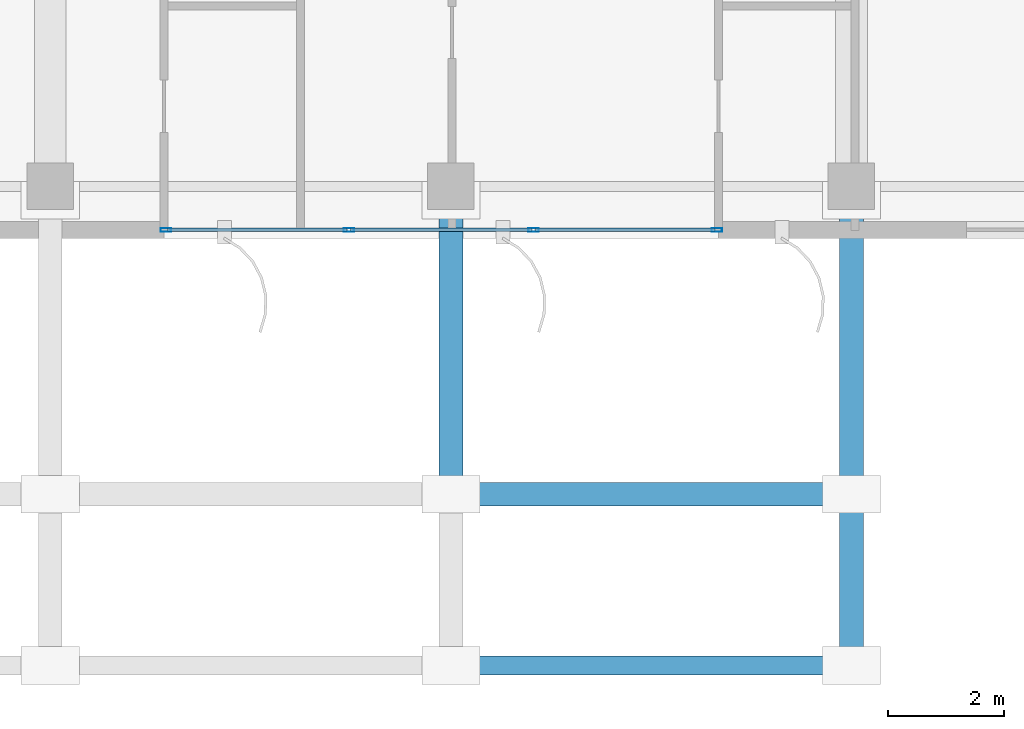
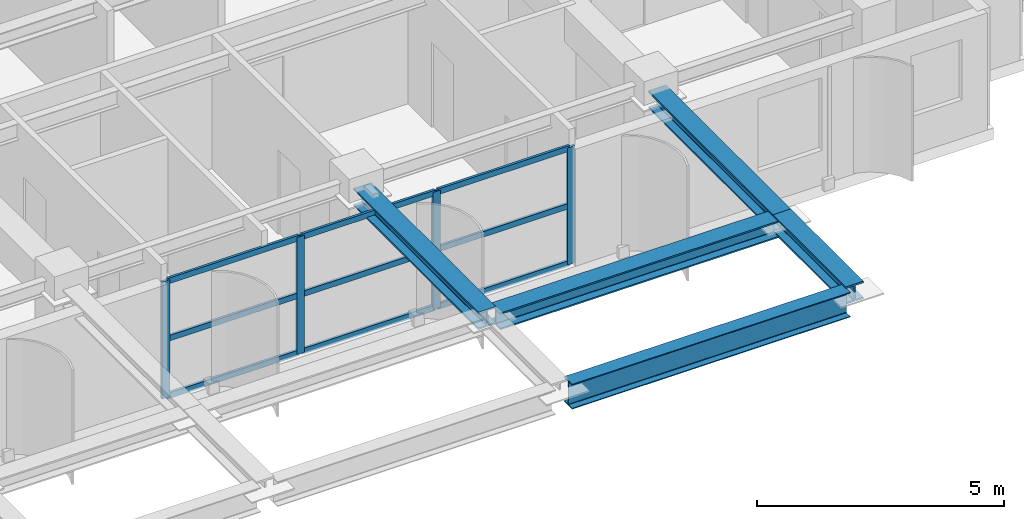
# One storey, part 2 of 19: 17 members, 1 beam, 1 element without a shape of its own.
"""IFC4 building model written with IfcOpenShell, lengths in metres."""

from ifc_helpers import new_model, si_unit, direction, frame, origin, origin_2d, place, context, subcontext, project, spatial, hollow_rectangle, i_section, extrude, source, transform, mapped, material, layer, layer_set, material_profile, profile_set, type_object, element, aggregate, save


model = new_model("IFC4")

# Units and contexts
model_context = context("Model", 3, precision=1e-05, world=origin(), true_north=direction((0.0, 1.0)))
body_context = subcontext(model_context, "Body", "Model", "MODEL_VIEW")
ifc_project = project(units=[si_unit("LENGTHUNIT", "METRE"), si_unit("AREAUNIT", "SQUARE_METRE"), si_unit("VOLUMEUNIT", "CUBIC_METRE"), si_unit("PLANEANGLEUNIT", "RADIAN"), si_unit("MASSUNIT", "GRAM", prefix="KILO")], contexts=[model_context])

# Site, building, storey
site_placement = place(None, origin())
site = spatial("IfcSite", under=ifc_project, at=site_placement, CompositionType="ELEMENT")
building_placement = place(site_placement, origin())
building = spatial("IfcBuilding", under=site, at=building_placement, Name="Khoralis Quay Care Tower", CompositionType="ELEMENT")
storey_placement = place(building_placement, frame((0.0, 0.0, 281.699951171875)))
storey = spatial("IfcBuildingStorey", under=building, at=storey_placement, Name="L74", CompositionType="ELEMENT", Elevation=281.699951171875)

# Members
ifc_material_1 = material(Name="Steel S460", Category="steel")
ifc_material_profile_1 = material_profile(ifc_material_1, i_section(OverallWidth=0.412109375, OverallDepth=0.43505859375, WebThickness=0.030029296875, FlangeThickness=0.0419921875, FilletRadius=0.014892578125, at=origin_2d()), Name="Steel S460")
ifc_profile_set_1 = profile_set([ifc_material_profile_1], Name="Steel S460")
member_type_1 = type_object("IfcMemberType", Name="CH-HD400X463", PredefinedType="CHORD", material=ifc_profile_set_1)
shared_shape_1 = source(origin(), body_context, "Body", "SweptSolid", [
    extrude(i_section(OverallWidth=0.412109375, OverallDepth=0.43505859375, WebThickness=0.030029296875, FlangeThickness=0.0419921875, FilletRadius=0.014892578125, at=origin_2d()), origin(), (0.0, 0.0, 1.0), 5.059814453125),
])
for number, where, z_axis, x_axis, name in (
    (1, (24.0, 3.659912109375, 3.0), (0.0, -1.0, 0.0), (1.0, 0.0, 0.0), "L74 Sky Pool Space Truss Top Chord 3A"),
    (2, (30.89990234375, 3.659912109375, 3.0), (0.0, -1.0, 0.0), (1.0, 0.0, 0.0), "L74 Sky Pool Space Truss Top Chord 4A"),
):
    element("IfcMember", number, at=place(storey_placement, frame(where, z_axis=z_axis, x_axis=x_axis)), inside=storey, type_object=member_type_1, Name=name, PredefinedType="CHORD", context=body_context, shape_type="MappedRepresentation", body=[
        mapped(shared_shape_1, transform((0.0, 0.0, 0.0), scale=1.0)),
    ])
shared_shape_2 = source(origin(), body_context, "Body", "SweptSolid", [
    extrude(i_section(OverallWidth=0.412109375, OverallDepth=0.43505859375, WebThickness=0.030029296875, FlangeThickness=0.0419921875, FilletRadius=0.014892578125, at=origin_2d()), origin(), (0.0, 0.0, 1.0), 2.9501953125),
])
member_1_placement = place(storey_placement, frame((30.89990234375, -1.39990234375, 3.0), z_axis=(0.0, -1.0, 0.0), x_axis=(1.0, 0.0, 0.0)))
element("IfcMember", 3, at=member_1_placement, inside=storey, type_object=member_type_1, Name="L74 Sky Pool Space Truss Top Chord 4B", PredefinedType="CHORD", context=body_context, shape_type="MappedRepresentation", body=[
    mapped(shared_shape_2, transform((0.0, 0.0, 0.0), scale=1.0)),
])
ifc_material_profile_2 = material_profile(ifc_material_1, i_section(OverallWidth=0.406005859375, OverallDepth=0.416015625, WebThickness=0.02490234375, FlangeThickness=0.034912109375, FilletRadius=0.014892578125, at=origin_2d()), Name="Steel S460")
ifc_profile_set_2 = profile_set([ifc_material_profile_2], Name="Steel S460")
member_type_2 = type_object("IfcMemberType", Name="CH-HD400X382", PredefinedType="CHORD", material=ifc_profile_set_2)
shared_shape_3 = source(origin(), body_context, "Body", "SweptSolid", [
    extrude(i_section(OverallWidth=0.406005859375, OverallDepth=0.416015625, WebThickness=0.02490234375, FlangeThickness=0.034912109375, FilletRadius=0.014892578125, at=origin_2d()), origin(), (0.0, 0.0, 1.0), 6.510009765625),
])
member_2_placement = place(storey_placement, frame((24.195068359375, -1.39990234375, 2.97216796875), z_axis=(1.0, 0.0, 0.0), x_axis=(0.0, 1.0, 0.0)))
element("IfcMember", 4, at=member_2_placement, inside=storey, type_object=member_type_2, Name="L74 Sky Pool Space Truss Bottom Chord 24", PredefinedType="CHORD", context=body_context, shape_type="MappedRepresentation", body=[
    mapped(shared_shape_3, transform((0.0, 0.0, 0.0), scale=1.0)),
])

# Beam
ifc_material_2 = material(Name="Steel S355", Category="steel")
ifc_material_profile_3 = material_profile(ifc_material_2, i_section(OverallWidth=0.324951171875, OverallDepth=0.615966796875, WebThickness=0.013916015625, FlangeThickness=0.021484375, FilletRadius=0.01806640625, at=origin_2d()), Name="Steel S355")
ifc_profile_set_3 = profile_set([ifc_material_profile_3], Name="Steel S355")
beam_type = type_object("IfcBeamType", Name="BM-W610X174", PredefinedType="BEAM", material=ifc_profile_set_3)
shared_shape_4 = source(origin(), body_context, "Body", "SweptSolid", [
    extrude(i_section(OverallWidth=0.324951171875, OverallDepth=0.615966796875, WebThickness=0.013916015625, FlangeThickness=0.021484375, FilletRadius=0.01806640625, at=origin_2d()), origin(), (0.0, 0.0, 1.0), 6.510009765625),
])
beam_placement = place(storey_placement, frame((24.195068359375, -4.35009765625, 2.8720703125), z_axis=(1.0, 0.0, 0.0), x_axis=(0.0, 1.0, 0.0)))
element("IfcBeam", 5, at=beam_placement, inside=storey, type_object=beam_type, Name="BM-SPTIE-2-24", PredefinedType="BEAM", context=body_context, shape_type="MappedRepresentation", body=[
    mapped(shared_shape_4, transform((0.0, 0.0, 0.0), scale=1.0)),
])

# Curtain wall, members
ifc_material_3 = material(Name="Pale anodised aluminium", Category="aluminium")
ifc_layer = layer(ifc_material_3, 0.159912109375)
ifc_layer_set = layer_set([ifc_layer], Name="Pale anodised aluminium")
curtain_wall_type = type_object("IfcCurtainWallType", Name="CW-SYS-Z3", PredefinedType="NOTDEFINED", material=ifc_layer_set)
curtain_wall_placement = place(storey_placement, origin())
curtain_wall = element("IfcCurtainWall", 6, at=curtain_wall_placement, inside=storey, type_object=curtain_wall_type, Name="L74 Unitised Curtain Wall CW-L74-P1-E0", PredefinedType="NOTDEFINED")
ifc_material_profile_4 = material_profile(ifc_material_3, hollow_rectangle(XDim=0.06494140625, YDim=0.179931640625, WallThickness=0.00390625, at=origin_2d()), Name="Pale anodised aluminium")
ifc_profile_set_4 = profile_set([ifc_material_profile_4], Name="Pale anodised aluminium")
member_type_3 = type_object("IfcMemberType", Name="CW-MUL-180", PredefinedType="MULLION", material=ifc_profile_set_4)
shared_shape_5 = source(origin(), body_context, "Body", "SweptSolid", [
    extrude(hollow_rectangle(XDim=0.06494140625, YDim=0.179931640625, WallThickness=0.00390625, at=origin_2d()), origin(), (0.0, 0.0, 1.0), 2.900146484375),
])
member_3_placement = place(storey_placement, frame((19.090087890625, 3.14990234375, 0.0), z_axis=(0.0, 0.0, 1.0), x_axis=(0.0, 1.0, 0.0)))
member_3 = element("IfcMember", 7, at=member_3_placement, type_object=member_type_3, Name="CW3 mullion 1", PredefinedType="MULLION", context=body_context, shape_type="MappedRepresentation", body=[
    mapped(shared_shape_5, transform((0.0, 0.0, 0.0), scale=1.0)),
])
member_4_placement = place(storey_placement, frame((22.243408203125, 3.14990234375, 0.0), z_axis=(0.0, 0.0, 1.0), x_axis=(0.0, 1.0, 0.0)))
member_4 = element("IfcMember", 8, at=member_4_placement, type_object=member_type_3, Name="CW3 mullion 2", PredefinedType="MULLION", context=body_context, shape_type="MappedRepresentation", body=[
    mapped(shared_shape_5, transform((0.0, 0.0, 0.0), scale=1.0)),
])
member_5_placement = place(storey_placement, frame((25.4267578125, 3.14990234375, 0.0), z_axis=(0.0, 0.0, 1.0), x_axis=(0.0, 1.0, 0.0)))
member_5 = element("IfcMember", 9, at=member_5_placement, type_object=member_type_3, Name="CW3 mullion 3", PredefinedType="MULLION", context=body_context, shape_type="MappedRepresentation", body=[
    mapped(shared_shape_5, transform((0.0, 0.0, 0.0), scale=1.0)),
])
member_6_placement = place(storey_placement, frame((28.580078125, 3.14990234375, 0.0), z_axis=(0.0, 0.0, 1.0), x_axis=(0.0, 1.0, 0.0)))
member_6 = element("IfcMember", 10, at=member_6_placement, type_object=member_type_3, Name="CW3 mullion 4", PredefinedType="MULLION", context=body_context, shape_type="MappedRepresentation", body=[
    mapped(shared_shape_5, transform((0.0, 0.0, 0.0), scale=1.0)),
])
ifc_material_profile_5 = material_profile(ifc_material_3, hollow_rectangle(XDim=0.06005859375, YDim=0.139892578125, WallThickness=0.00390625, at=origin_2d()), Name="Pale anodised aluminium")
ifc_profile_set_5 = profile_set([ifc_material_profile_5], Name="Pale anodised aluminium")
member_type_4 = type_object("IfcMemberType", Name="CW-TRN-140", PredefinedType="USERDEFINED", material=ifc_profile_set_5)
shared_shape_6 = source(origin(), body_context, "Body", "SweptSolid", [
    extrude(hollow_rectangle(XDim=0.06005859375, YDim=0.139892578125, WallThickness=0.00390625, at=origin_2d()), origin(), (0.0, 0.0, 1.0), 3.09326171875),
])
member_7_placement = place(storey_placement, frame((19.1201171875, 3.14990234375, 0.030029296875), z_axis=(1.0, 0.0, 0.0), x_axis=(0.0, 1.0, 0.0)))
member_7 = element("IfcMember", 11, at=member_7_placement, type_object=member_type_4, Name="CW3 transom 1.1", ObjectType="TRANSOM", PredefinedType="USERDEFINED", context=body_context, shape_type="MappedRepresentation", body=[
    mapped(shared_shape_6, transform((0.0, 0.0, 0.0), scale=1.0)),
])
member_8_placement = place(storey_placement, frame((19.1201171875, 3.14990234375, 1.449951171875), z_axis=(1.0, 0.0, 0.0), x_axis=(0.0, 1.0, 0.0)))
member_8 = element("IfcMember", 12, at=member_8_placement, type_object=member_type_4, Name="CW3 transom 1.2", ObjectType="TRANSOM", PredefinedType="USERDEFINED", context=body_context, shape_type="MappedRepresentation", body=[
    mapped(shared_shape_6, transform((0.0, 0.0, 0.0), scale=1.0)),
])
member_9_placement = place(storey_placement, frame((19.1201171875, 3.14990234375, 2.8701171875), z_axis=(1.0, 0.0, 0.0), x_axis=(0.0, 1.0, 0.0)))
member_9 = element("IfcMember", 13, at=member_9_placement, type_object=member_type_4, Name="CW3 transom 1.3", ObjectType="TRANSOM", PredefinedType="USERDEFINED", context=body_context, shape_type="MappedRepresentation", body=[
    mapped(shared_shape_6, transform((0.0, 0.0, 0.0), scale=1.0)),
])
member_10_placement = place(storey_placement, frame((25.456787109375, 3.14990234375, 0.030029296875), z_axis=(1.0, 0.0, 0.0), x_axis=(0.0, 1.0, 0.0)))
member_10 = element("IfcMember", 14, at=member_10_placement, type_object=member_type_4, Name="CW3 transom 3.1", ObjectType="TRANSOM", PredefinedType="USERDEFINED", context=body_context, shape_type="MappedRepresentation", body=[
    mapped(shared_shape_6, transform((0.0, 0.0, 0.0), scale=1.0)),
])
member_11_placement = place(storey_placement, frame((25.456787109375, 3.14990234375, 1.449951171875), z_axis=(1.0, 0.0, 0.0), x_axis=(0.0, 1.0, 0.0)))
member_11 = element("IfcMember", 15, at=member_11_placement, type_object=member_type_4, Name="CW3 transom 3.2", ObjectType="TRANSOM", PredefinedType="USERDEFINED", context=body_context, shape_type="MappedRepresentation", body=[
    mapped(shared_shape_6, transform((0.0, 0.0, 0.0), scale=1.0)),
])
member_12_placement = place(storey_placement, frame((25.456787109375, 3.14990234375, 2.8701171875), z_axis=(1.0, 0.0, 0.0), x_axis=(0.0, 1.0, 0.0)))
member_12 = element("IfcMember", 16, at=member_12_placement, type_object=member_type_4, Name="CW3 transom 3.3", ObjectType="TRANSOM", PredefinedType="USERDEFINED", context=body_context, shape_type="MappedRepresentation", body=[
    mapped(shared_shape_6, transform((0.0, 0.0, 0.0), scale=1.0)),
])
shared_shape_7 = source(origin(), body_context, "Body", "SweptSolid", [
    extrude(hollow_rectangle(XDim=0.06005859375, YDim=0.139892578125, WallThickness=0.00390625, at=origin_2d()), origin(), (0.0, 0.0, 1.0), 3.123291015625),
])
member_13_placement = place(storey_placement, frame((22.2734375, 3.14990234375, 0.030029296875), z_axis=(1.0, 0.0, 0.0), x_axis=(0.0, 1.0, 0.0)))
member_13 = element("IfcMember", 17, at=member_13_placement, type_object=member_type_4, Name="CW3 transom 2.1", ObjectType="TRANSOM", PredefinedType="USERDEFINED", context=body_context, shape_type="MappedRepresentation", body=[
    mapped(shared_shape_7, transform((0.0, 0.0, 0.0), scale=1.0)),
])
member_14_placement = place(storey_placement, frame((22.2734375, 3.14990234375, 1.449951171875), z_axis=(1.0, 0.0, 0.0), x_axis=(0.0, 1.0, 0.0)))
member_14 = element("IfcMember", 18, at=member_14_placement, type_object=member_type_4, Name="CW3 transom 2.2", ObjectType="TRANSOM", PredefinedType="USERDEFINED", context=body_context, shape_type="MappedRepresentation", body=[
    mapped(shared_shape_7, transform((0.0, 0.0, 0.0), scale=1.0)),
])
member_15_placement = place(storey_placement, frame((22.2734375, 3.14990234375, 2.8701171875), z_axis=(1.0, 0.0, 0.0), x_axis=(0.0, 1.0, 0.0)))
member_15 = element("IfcMember", 19, at=member_15_placement, type_object=member_type_4, Name="CW3 transom 2.3", ObjectType="TRANSOM", PredefinedType="USERDEFINED", context=body_context, shape_type="MappedRepresentation", body=[
    mapped(shared_shape_7, transform((0.0, 0.0, 0.0), scale=1.0)),
])
aggregate(curtain_wall, [member_3, member_4, member_5, member_6, member_7, member_8, member_9, member_13, member_14, member_15, member_10, member_11, member_12])

save(model, "model.ifc")
